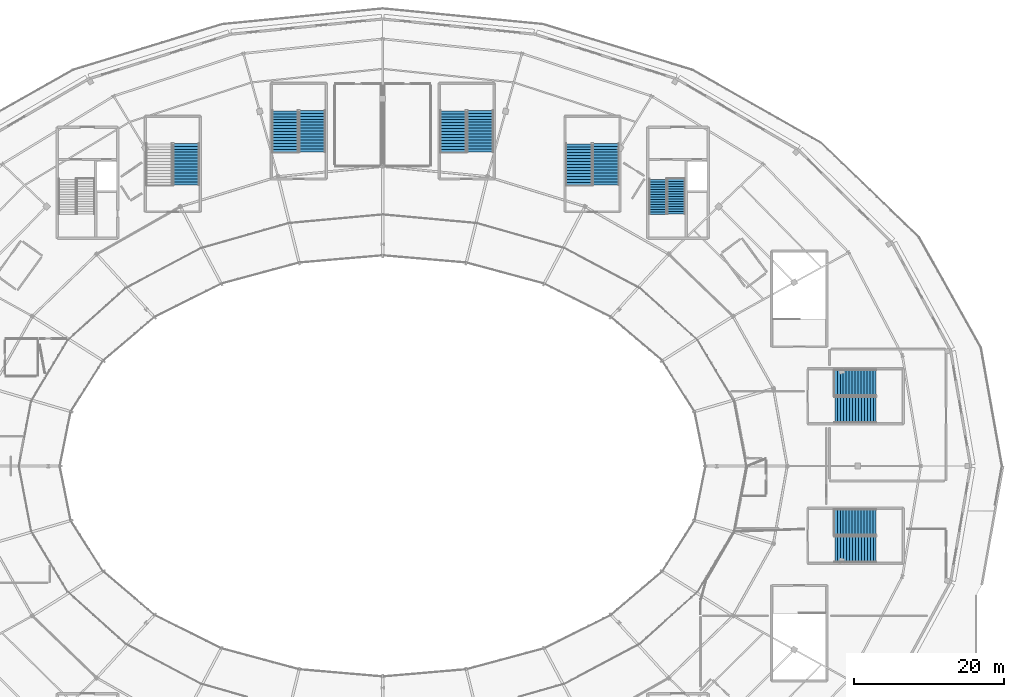
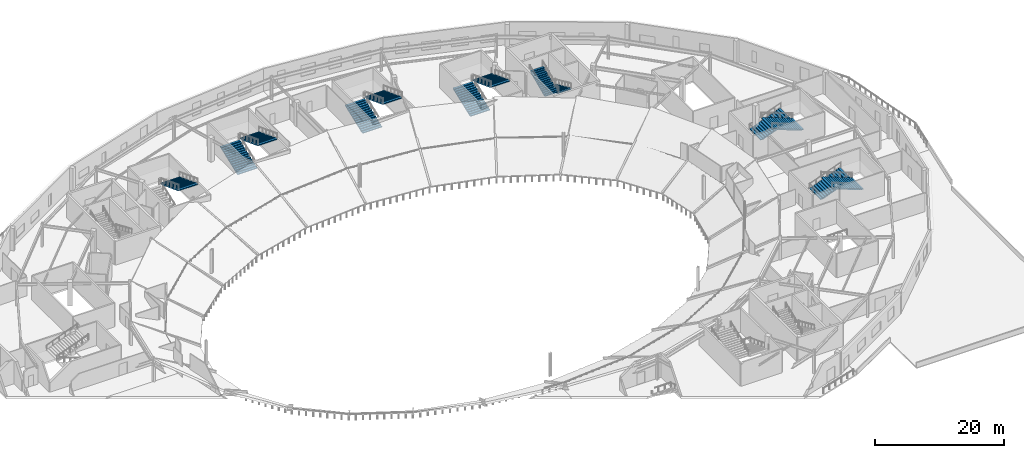
# One storey, part 44 of 63: 13 stair flights, 7 elements without a shape of their own.
"""IFC4 building model written with IfcOpenShell, lengths in metres."""

from ifc_helpers import new_model, si_unit, direction, frame, origin, place, context, subcontext, project, spatial, polyline, outline, extrude, material, type_object, element, aggregate, save


model = new_model("IFC4")

# Units and contexts
model_context = context("Model", 3, precision=1e-05, world=origin(), true_north=direction((0.0, 1.0)))
body_context = subcontext(model_context, "Body", "Model", "MODEL_VIEW")
ifc_project = project(units=[si_unit("LENGTHUNIT", "METRE"), si_unit("AREAUNIT", "SQUARE_METRE"), si_unit("VOLUMEUNIT", "CUBIC_METRE"), si_unit("PLANEANGLEUNIT", "RADIAN"), si_unit("MASSUNIT", "GRAM", prefix="KILO")], contexts=[model_context])

# Site, building, storey
site_placement = place(None, origin())
site = spatial("IfcSite", under=ifc_project, at=site_placement, CompositionType="ELEMENT")
building_placement = place(site_placement, origin())
building = spatial("IfcBuilding", under=site, at=building_placement, Name="Kalgoora Escarpment Arena", CompositionType="ELEMENT")
storey_placement = place(building_placement, frame((0.0, 0.0, 14.39990234375)))
storey = spatial("IfcBuildingStorey", under=building, at=storey_placement, Name="L03", CompositionType="ELEMENT", Elevation=14.39990234375)

# Stair, stair flights
ifc_material_1 = material(Name="Concrete N40 (fc' 40 MPa)", Category="concrete")
stair_type_1 = type_object("IfcStairType", Name="STR-EXIT-4", PredefinedType="HALF_TURN_STAIR", material=ifc_material_1)
stair_1_placement = place(storey_placement, origin())
stair_1 = element("IfcStair", 1, at=stair_1_placement, inside=storey, type_object=stair_type_1, Name="Fire-isolated exit stair ST04 (L03)", PredefinedType="HALF_TURN_STAIR")
ifc_material_2 = material(Name="Concrete N40 (fc' 40 MPa)", Category="concrete")
stair_flight_type_1 = type_object("IfcStairFlightType", Name="FLT-EXIT-4", PredefinedType="STRAIGHT", material=ifc_material_2)
stair_flight_1_placement = place(storey_placement, frame((131.552490234375, 102.330078125, 0.0), z_axis=(0.0, 0.0, 1.0), x_axis=(0.0, -1.0, 0.0)))
stair_flight_1 = element("IfcStairFlight", 2, at=stair_flight_1_placement, type_object=stair_flight_type_1, Name="ST04 L03 lower flight", NumberOfRisers=15, NumberOfTreads=14, PredefinedType="STRAIGHT", RiserHeight=0.15, TreadLength=0.335, context=body_context, shape_type="SweptSolid", body=[
    extrude(outline(polyline([(0.0, 0.0), (0.0, 0.14990234375), (0.3349609375, 0.14990234375), (0.3349609375, 0.300048828125), (0.669921875, 0.300048828125), (0.669921875, 0.449951171875), (1.0048828125, 0.449951171875), (1.0048828125, 0.60009765625), (1.340087890625, 0.60009765625), (1.340087890625, 0.75), (1.675048828125, 0.75), (1.675048828125, 0.89990234375), (2.010009765625, 0.89990234375), (2.010009765625, 1.050048828125), (2.344970703125, 1.050048828125), (2.344970703125, 1.199951171875), (2.679931640625, 1.199951171875), (2.679931640625, 1.35009765625), (3.014892578125, 1.35009765625), (3.014892578125, 1.5), (3.35009765625, 1.5), (3.35009765625, 1.64990234375), (3.68505859375, 1.64990234375), (3.68505859375, 1.800048828125), (4.02001953125, 1.800048828125), (4.02001953125, 1.949951171875), (4.35498046875, 1.949951171875), (4.35498046875, 2.10009765625), (4.68994140625, 2.10009765625), (4.68994140625, 2.25), (4.68994140625, 1.913818359375), (0.415771484375, 0.0), (0.0, 0.0)])), frame((0.0, 1.197509765625, 0.0), z_axis=(0.0, -1.0, 0.0), x_axis=(1.0, 0.0, 0.0)), (0.0, 0.0, 1.0), 2.39501953125),
])
stair_flight_2_placement = place(storey_placement, frame((129.1474609375, 97.580078125, 2.25), z_axis=(0.0, 0.0, 1.0), x_axis=(0.0, 1.0, 0.0)))
stair_flight_2 = element("IfcStairFlight", 3, at=stair_flight_2_placement, type_object=stair_flight_type_1, Name="ST04 L03 upper flight", NumberOfRisers=15, NumberOfTreads=14, PredefinedType="STRAIGHT", RiserHeight=0.15, TreadLength=0.335, context=body_context, shape_type="SweptSolid", body=[
    extrude(outline(polyline([(0.0, 0.0), (0.0, 0.14990234375), (0.3349609375, 0.14990234375), (0.3349609375, 0.300048828125), (0.669921875, 0.300048828125), (0.669921875, 0.449951171875), (1.0048828125, 0.449951171875), (1.0048828125, 0.60009765625), (1.340087890625, 0.60009765625), (1.340087890625, 0.75), (1.675048828125, 0.75), (1.675048828125, 0.89990234375), (2.010009765625, 0.89990234375), (2.010009765625, 1.050048828125), (2.344970703125, 1.050048828125), (2.344970703125, 1.199951171875), (2.679931640625, 1.199951171875), (2.679931640625, 1.35009765625), (3.014892578125, 1.35009765625), (3.014892578125, 1.5), (3.35009765625, 1.5), (3.35009765625, 1.64990234375), (3.68505859375, 1.64990234375), (3.68505859375, 1.800048828125), (4.02001953125, 1.800048828125), (4.02001953125, 1.949951171875), (4.35498046875, 1.949951171875), (4.35498046875, 2.10009765625), (4.68994140625, 2.10009765625), (4.68994140625, 2.25), (4.68994140625, 1.913818359375), (0.415771484375, 0.0), (0.0, 0.0)])), frame((0.0, 1.197509765625, 0.0), z_axis=(0.0, -1.0, 0.0), x_axis=(1.0, 0.0, 0.0)), (0.0, 0.0, 1.0), 2.39501953125),
])
aggregate(stair_1, [stair_flight_1, stair_flight_2])

# Stair, stair flight
ifc_material_3 = material(Name="Precast concrete N50 (fc' 50 MPa)", Category="concrete")
stair_type_2 = type_object("IfcStairType", Name="STR-STAD-1", PredefinedType="HALF_TURN_STAIR", material=ifc_material_3)
stair_2_placement = place(storey_placement, origin())
stair_2 = element("IfcStair", 4, at=stair_2_placement, inside=storey, type_object=stair_type_2, Name="Fire-isolated exit stair ST09 (L03)", PredefinedType="HALF_TURN_STAIR")
ifc_material_4 = material(Name="Precast concrete N50 (fc' 50 MPa)", Category="concrete")
stair_flight_type_2 = type_object("IfcStairFlightType", Name="FLT-STAD-1", PredefinedType="STRAIGHT", material=ifc_material_4)
stair_flight_3_placement = place(storey_placement, frame((66.20751953125, 107.06005859375, 2.25), z_axis=(0.0, 0.0, 1.0), x_axis=(0.0, -1.0, 0.0)))
stair_flight_3 = element("IfcStairFlight", 5, at=stair_flight_3_placement, type_object=stair_flight_type_2, Name="ST09 L03 upper flight", NumberOfRisers=15, NumberOfTreads=14, PredefinedType="STRAIGHT", RiserHeight=0.15, TreadLength=0.395, context=body_context, shape_type="SweptSolid", body=[
    extrude(outline(polyline([(0.0, 0.0), (0.0, 0.14990234375), (0.39501953125, 0.14990234375), (0.39501953125, 0.300048828125), (0.7900390625, 0.300048828125), (0.7900390625, 0.449951171875), (1.18505859375, 0.449951171875), (1.18505859375, 0.60009765625), (1.580078125, 0.60009765625), (1.580078125, 0.75), (1.97509765625, 0.75), (1.97509765625, 0.89990234375), (2.3701171875, 0.89990234375), (2.3701171875, 1.050048828125), (2.764892578125, 1.050048828125), (2.764892578125, 1.199951171875), (3.159912109375, 1.199951171875), (3.159912109375, 1.35009765625), (3.554931640625, 1.35009765625), (3.554931640625, 1.5), (3.949951171875, 1.5), (3.949951171875, 1.64990234375), (4.344970703125, 1.64990234375), (4.344970703125, 1.800048828125), (4.739990234375, 1.800048828125), (4.739990234375, 1.949951171875), (5.135009765625, 1.949951171875), (5.135009765625, 2.10009765625), (5.530029296875, 2.10009765625), (5.530029296875, 2.25), (5.530029296875, 1.918212890625), (0.478759765625, 0.0), (0.0, 0.0)])), frame((0.0, 1.74267578125, 0.0), z_axis=(0.0, -1.0, 0.0), x_axis=(1.0, 0.0, 0.0)), (0.0, 0.0, 1.0), 3.485107421875),
])
aggregate(stair_2, [stair_flight_3])

# Stair, stair flights
stair_3_placement = place(storey_placement, origin())
stair_3 = element("IfcStair", 6, at=stair_3_placement, inside=storey, type_object=stair_type_2, Name="Fire-isolated exit stair ST21 (L03)", PredefinedType="HALF_TURN_STAIR")
stair_flight_4_placement = place(storey_placement, frame((152.669921875, 75.107421875, 0.0), z_axis=(0.0, 0.0, 1.0), x_axis=(1.0, 0.0, 0.0)))
stair_flight_4 = element("IfcStairFlight", 7, at=stair_flight_4_placement, type_object=stair_flight_type_2, Name="ST21 L03 lower flight", NumberOfRisers=15, NumberOfTreads=14, PredefinedType="STRAIGHT", RiserHeight=0.15, TreadLength=0.395, context=body_context, shape_type="SweptSolid", body=[
    extrude(outline(polyline([(0.0, 0.0), (0.0, 0.14990234375), (0.39501953125, 0.14990234375), (0.39501953125, 0.300048828125), (0.7900390625, 0.300048828125), (0.7900390625, 0.449951171875), (1.18505859375, 0.449951171875), (1.18505859375, 0.60009765625), (1.580078125, 0.60009765625), (1.580078125, 0.75), (1.97509765625, 0.75), (1.97509765625, 0.89990234375), (2.3701171875, 0.89990234375), (2.3701171875, 1.050048828125), (2.764892578125, 1.050048828125), (2.764892578125, 1.199951171875), (3.159912109375, 1.199951171875), (3.159912109375, 1.35009765625), (3.554931640625, 1.35009765625), (3.554931640625, 1.5), (3.949951171875, 1.5), (3.949951171875, 1.64990234375), (4.344970703125, 1.64990234375), (4.344970703125, 1.800048828125), (4.739990234375, 1.800048828125), (4.739990234375, 1.949951171875), (5.135009765625, 1.949951171875), (5.135009765625, 2.10009765625), (5.530029296875, 2.10009765625), (5.530029296875, 2.25), (5.530029296875, 1.918212890625), (0.478759765625, 0.0), (0.0, 0.0)])), frame((0.0, 1.74267578125, 0.0), z_axis=(0.0, -1.0, 0.0), x_axis=(1.0, 0.0, 0.0)), (0.0, 0.0, 1.0), 3.485107421875),
])
stair_flight_5_placement = place(storey_placement, frame((158.260009765625, 71.492431640625, 2.25), z_axis=(0.0, 0.0, 1.0), x_axis=(-1.0, 0.0, 0.0)))
stair_flight_5 = element("IfcStairFlight", 8, at=stair_flight_5_placement, type_object=stair_flight_type_2, Name="ST21 L03 upper flight", NumberOfRisers=15, NumberOfTreads=14, PredefinedType="STRAIGHT", RiserHeight=0.15, TreadLength=0.395, context=body_context, shape_type="SweptSolid", body=[
    extrude(outline(polyline([(0.0, 0.0), (0.0, 0.14990234375), (0.39501953125, 0.14990234375), (0.39501953125, 0.300048828125), (0.7900390625, 0.300048828125), (0.7900390625, 0.449951171875), (1.18505859375, 0.449951171875), (1.18505859375, 0.60009765625), (1.580078125, 0.60009765625), (1.580078125, 0.75), (1.97509765625, 0.75), (1.97509765625, 0.89990234375), (2.3701171875, 0.89990234375), (2.3701171875, 1.050048828125), (2.764892578125, 1.050048828125), (2.764892578125, 1.199951171875), (3.159912109375, 1.199951171875), (3.159912109375, 1.35009765625), (3.554931640625, 1.35009765625), (3.554931640625, 1.5), (3.949951171875, 1.5), (3.949951171875, 1.64990234375), (4.344970703125, 1.64990234375), (4.344970703125, 1.800048828125), (4.739990234375, 1.800048828125), (4.739990234375, 1.949951171875), (5.135009765625, 1.949951171875), (5.135009765625, 2.10009765625), (5.530029296875, 2.10009765625), (5.530029296875, 2.25), (5.530029296875, 1.918212890625), (0.478759765625, 0.0), (0.0, 0.0)])), frame((0.0, 1.74267578125, 0.0), z_axis=(0.0, -1.0, 0.0), x_axis=(1.0, 0.0, 0.0)), (0.0, 0.0, 1.0), 3.485107421875),
])
aggregate(stair_3, [stair_flight_4, stair_flight_5])

ifc_material_5 = material(Name="Precast concrete N50 (fc' 50 MPa)", Category="concrete")
stair_type_3 = type_object("IfcStairType", Name="STR-STAD-2", PredefinedType="HALF_TURN_STAIR", material=ifc_material_5)
stair_4_placement = place(storey_placement, origin())
stair_4 = element("IfcStair", 9, at=stair_4_placement, inside=storey, type_object=stair_type_3, Name="Fire-isolated exit stair ST10 (L03)", PredefinedType="HALF_TURN_STAIR")
ifc_material_6 = material(Name="Precast concrete N50 (fc' 50 MPa)", Category="concrete")
stair_flight_type_3 = type_object("IfcStairFlightType", Name="FLT-STAD-2", PredefinedType="STRAIGHT", material=ifc_material_6)
stair_flight_6_placement = place(storey_placement, frame((79.39501953125, 105.8701171875, 0.0), z_axis=(0.0, 0.0, 1.0), x_axis=(0.0, 1.0, 0.0)))
stair_flight_6 = element("IfcStairFlight", 10, at=stair_flight_6_placement, type_object=stair_flight_type_3, Name="ST10 L03 lower flight", NumberOfRisers=15, NumberOfTreads=14, PredefinedType="STRAIGHT", RiserHeight=0.15, TreadLength=0.395, context=body_context, shape_type="SweptSolid", body=[
    extrude(outline(polyline([(0.0, 0.0), (0.0, 0.14990234375), (0.39501953125, 0.14990234375), (0.39501953125, 0.300048828125), (0.7900390625, 0.300048828125), (0.7900390625, 0.449951171875), (1.18505859375, 0.449951171875), (1.18505859375, 0.60009765625), (1.580078125, 0.60009765625), (1.580078125, 0.75), (1.97509765625, 0.75), (1.97509765625, 0.89990234375), (2.3701171875, 0.89990234375), (2.3701171875, 1.050048828125), (2.764892578125, 1.050048828125), (2.764892578125, 1.199951171875), (3.159912109375, 1.199951171875), (3.159912109375, 1.35009765625), (3.554931640625, 1.35009765625), (3.554931640625, 1.5), (3.949951171875, 1.5), (3.949951171875, 1.64990234375), (4.344970703125, 1.64990234375), (4.344970703125, 1.800048828125), (4.739990234375, 1.800048828125), (4.739990234375, 1.949951171875), (5.135009765625, 1.949951171875), (5.135009765625, 2.10009765625), (5.530029296875, 2.10009765625), (5.530029296875, 2.25), (5.530029296875, 1.918212890625), (0.478759765625, 0.0), (0.0, 0.0)])), frame((0.0, 1.7451171875, 0.0), z_axis=(0.0, -1.0, 0.0), x_axis=(1.0, 0.0, 0.0)), (0.0, 0.0, 1.0), 3.489990234375),
])
stair_flight_7_placement = place(storey_placement, frame((83.0048828125, 111.4599609375, 2.25), z_axis=(0.0, 0.0, 1.0), x_axis=(0.0, -1.0, 0.0)))
stair_flight_7 = element("IfcStairFlight", 11, at=stair_flight_7_placement, type_object=stair_flight_type_3, Name="ST10 L03 upper flight", NumberOfRisers=15, NumberOfTreads=14, PredefinedType="STRAIGHT", RiserHeight=0.15, TreadLength=0.395, context=body_context, shape_type="SweptSolid", body=[
    extrude(outline(polyline([(0.0, 0.0), (0.0, 0.14990234375), (0.39501953125, 0.14990234375), (0.39501953125, 0.300048828125), (0.7900390625, 0.300048828125), (0.7900390625, 0.449951171875), (1.18505859375, 0.449951171875), (1.18505859375, 0.60009765625), (1.580078125, 0.60009765625), (1.580078125, 0.75), (1.97509765625, 0.75), (1.97509765625, 0.89990234375), (2.3701171875, 0.89990234375), (2.3701171875, 1.050048828125), (2.764892578125, 1.050048828125), (2.764892578125, 1.199951171875), (3.159912109375, 1.199951171875), (3.159912109375, 1.35009765625), (3.554931640625, 1.35009765625), (3.554931640625, 1.5), (3.949951171875, 1.5), (3.949951171875, 1.64990234375), (4.344970703125, 1.64990234375), (4.344970703125, 1.800048828125), (4.739990234375, 1.800048828125), (4.739990234375, 1.949951171875), (5.135009765625, 1.949951171875), (5.135009765625, 2.10009765625), (5.530029296875, 2.10009765625), (5.530029296875, 2.25), (5.530029296875, 1.918212890625), (0.478759765625, 0.0), (0.0, 0.0)])), frame((0.0, 1.7451171875, 0.0), z_axis=(0.0, -1.0, 0.0), x_axis=(1.0, 0.0, 0.0)), (0.0, 0.0, 1.0), 3.489990234375),
])
aggregate(stair_4, [stair_flight_6, stair_flight_7])

stair_5_placement = place(storey_placement, origin())
stair_5 = element("IfcStair", 12, at=stair_5_placement, inside=storey, type_object=stair_type_3, Name="Fire-isolated exit stair ST22 (L03)", PredefinedType="HALF_TURN_STAIR")
stair_flight_8_placement = place(storey_placement, frame((152.669921875, 56.5048828125, 0.0), z_axis=(0.0, 0.0, 1.0), x_axis=(1.0, 0.0, 0.0)))
stair_flight_8 = element("IfcStairFlight", 13, at=stair_flight_8_placement, type_object=stair_flight_type_3, Name="ST22 L03 lower flight", NumberOfRisers=15, NumberOfTreads=14, PredefinedType="STRAIGHT", RiserHeight=0.15, TreadLength=0.395, context=body_context, shape_type="SweptSolid", body=[
    extrude(outline(polyline([(0.0, 0.0), (0.0, 0.14990234375), (0.39501953125, 0.14990234375), (0.39501953125, 0.300048828125), (0.7900390625, 0.300048828125), (0.7900390625, 0.449951171875), (1.18505859375, 0.449951171875), (1.18505859375, 0.60009765625), (1.580078125, 0.60009765625), (1.580078125, 0.75), (1.97509765625, 0.75), (1.97509765625, 0.89990234375), (2.3701171875, 0.89990234375), (2.3701171875, 1.050048828125), (2.764892578125, 1.050048828125), (2.764892578125, 1.199951171875), (3.159912109375, 1.199951171875), (3.159912109375, 1.35009765625), (3.554931640625, 1.35009765625), (3.554931640625, 1.5), (3.949951171875, 1.5), (3.949951171875, 1.64990234375), (4.344970703125, 1.64990234375), (4.344970703125, 1.800048828125), (4.739990234375, 1.800048828125), (4.739990234375, 1.949951171875), (5.135009765625, 1.949951171875), (5.135009765625, 2.10009765625), (5.530029296875, 2.10009765625), (5.530029296875, 2.25), (5.530029296875, 1.918212890625), (0.478759765625, 0.0), (0.0, 0.0)])), frame((0.0, 1.7451171875, 0.0), z_axis=(0.0, -1.0, 0.0), x_axis=(1.0, 0.0, 0.0)), (0.0, 0.0, 1.0), 3.489990234375),
])
stair_flight_9_placement = place(storey_placement, frame((158.260009765625, 52.89501953125, 2.25), z_axis=(0.0, 0.0, 1.0), x_axis=(-1.0, 0.0, 0.0)))
stair_flight_9 = element("IfcStairFlight", 14, at=stair_flight_9_placement, type_object=stair_flight_type_3, Name="ST22 L03 upper flight", NumberOfRisers=15, NumberOfTreads=14, PredefinedType="STRAIGHT", RiserHeight=0.15, TreadLength=0.395, context=body_context, shape_type="SweptSolid", body=[
    extrude(outline(polyline([(0.0, 0.0), (0.0, 0.14990234375), (0.39501953125, 0.14990234375), (0.39501953125, 0.300048828125), (0.7900390625, 0.300048828125), (0.7900390625, 0.449951171875), (1.18505859375, 0.449951171875), (1.18505859375, 0.60009765625), (1.580078125, 0.60009765625), (1.580078125, 0.75), (1.97509765625, 0.75), (1.97509765625, 0.89990234375), (2.3701171875, 0.89990234375), (2.3701171875, 1.050048828125), (2.764892578125, 1.050048828125), (2.764892578125, 1.199951171875), (3.159912109375, 1.199951171875), (3.159912109375, 1.35009765625), (3.554931640625, 1.35009765625), (3.554931640625, 1.5), (3.949951171875, 1.5), (3.949951171875, 1.64990234375), (4.344970703125, 1.64990234375), (4.344970703125, 1.800048828125), (4.739990234375, 1.800048828125), (4.739990234375, 1.949951171875), (5.135009765625, 1.949951171875), (5.135009765625, 2.10009765625), (5.530029296875, 2.10009765625), (5.530029296875, 2.25), (5.530029296875, 1.918212890625), (0.478759765625, 0.0), (0.0, 0.0)])), frame((0.0, 1.7451171875, 0.0), z_axis=(0.0, -1.0, 0.0), x_axis=(1.0, 0.0, 0.0)), (0.0, 0.0, 1.0), 3.489990234375),
])
aggregate(stair_5, [stair_flight_8, stair_flight_9])

ifc_material_7 = material(Name="Precast concrete N50 (fc' 50 MPa)", Category="concrete")
stair_type_4 = type_object("IfcStairType", Name="STR-STAD-3", PredefinedType="HALF_TURN_STAIR", material=ifc_material_7)
stair_6_placement = place(storey_placement, origin())
stair_6 = element("IfcStair", 15, at=stair_6_placement, inside=storey, type_object=stair_type_4, Name="Fire-isolated exit stair ST11 (L03)", PredefinedType="HALF_TURN_STAIR")
ifc_material_8 = material(Name="Precast concrete N50 (fc' 50 MPa)", Category="concrete")
stair_flight_type_4 = type_object("IfcStairFlightType", Name="FLT-STAD-3", PredefinedType="STRAIGHT", material=ifc_material_8)
stair_flight_10_placement = place(storey_placement, frame((101.797607421875, 105.8701171875, 0.0), z_axis=(0.0, 0.0, 1.0), x_axis=(0.0, 1.0, 0.0)))
stair_flight_10 = element("IfcStairFlight", 16, at=stair_flight_10_placement, type_object=stair_flight_type_4, Name="ST11 L03 lower flight", NumberOfRisers=15, NumberOfTreads=14, PredefinedType="STRAIGHT", RiserHeight=0.15, TreadLength=0.395, context=body_context, shape_type="SweptSolid", body=[
    extrude(outline(polyline([(0.0, 0.0), (0.0, 0.14990234375), (0.39501953125, 0.14990234375), (0.39501953125, 0.300048828125), (0.7900390625, 0.300048828125), (0.7900390625, 0.449951171875), (1.18505859375, 0.449951171875), (1.18505859375, 0.60009765625), (1.580078125, 0.60009765625), (1.580078125, 0.75), (1.97509765625, 0.75), (1.97509765625, 0.89990234375), (2.3701171875, 0.89990234375), (2.3701171875, 1.050048828125), (2.764892578125, 1.050048828125), (2.764892578125, 1.199951171875), (3.159912109375, 1.199951171875), (3.159912109375, 1.35009765625), (3.554931640625, 1.35009765625), (3.554931640625, 1.5), (3.949951171875, 1.5), (3.949951171875, 1.64990234375), (4.344970703125, 1.64990234375), (4.344970703125, 1.800048828125), (4.739990234375, 1.800048828125), (4.739990234375, 1.949951171875), (5.135009765625, 1.949951171875), (5.135009765625, 2.10009765625), (5.530029296875, 2.10009765625), (5.530029296875, 2.25), (5.530029296875, 1.918212890625), (0.478759765625, 0.0), (0.0, 0.0)])), frame((0.0, 1.74755859375, 0.0), z_axis=(0.0, -1.0, 0.0), x_axis=(1.0, 0.0, 0.0)), (0.0, 0.0, 1.0), 3.4951171875),
])
stair_flight_11_placement = place(storey_placement, frame((105.402587890625, 111.4599609375, 2.25), z_axis=(0.0, 0.0, 1.0), x_axis=(0.0, -1.0, 0.0)))
stair_flight_11 = element("IfcStairFlight", 17, at=stair_flight_11_placement, type_object=stair_flight_type_4, Name="ST11 L03 upper flight", NumberOfRisers=15, NumberOfTreads=14, PredefinedType="STRAIGHT", RiserHeight=0.15, TreadLength=0.395, context=body_context, shape_type="SweptSolid", body=[
    extrude(outline(polyline([(0.0, 0.0), (0.0, 0.14990234375), (0.39501953125, 0.14990234375), (0.39501953125, 0.300048828125), (0.7900390625, 0.300048828125), (0.7900390625, 0.449951171875), (1.18505859375, 0.449951171875), (1.18505859375, 0.60009765625), (1.580078125, 0.60009765625), (1.580078125, 0.75), (1.97509765625, 0.75), (1.97509765625, 0.89990234375), (2.3701171875, 0.89990234375), (2.3701171875, 1.050048828125), (2.764892578125, 1.050048828125), (2.764892578125, 1.199951171875), (3.159912109375, 1.199951171875), (3.159912109375, 1.35009765625), (3.554931640625, 1.35009765625), (3.554931640625, 1.5), (3.949951171875, 1.5), (3.949951171875, 1.64990234375), (4.344970703125, 1.64990234375), (4.344970703125, 1.800048828125), (4.739990234375, 1.800048828125), (4.739990234375, 1.949951171875), (5.135009765625, 1.949951171875), (5.135009765625, 2.10009765625), (5.530029296875, 2.10009765625), (5.530029296875, 2.25), (5.530029296875, 1.918212890625), (0.478759765625, 0.0), (0.0, 0.0)])), frame((0.0, 1.74755859375, 0.0), z_axis=(0.0, -1.0, 0.0), x_axis=(1.0, 0.0, 0.0)), (0.0, 0.0, 1.0), 3.4951171875),
])
aggregate(stair_6, [stair_flight_10, stair_flight_11])

ifc_material_9 = material(Name="Precast concrete N50 (fc' 50 MPa)", Category="concrete")
stair_type_5 = type_object("IfcStairType", Name="STR-STAD-4", PredefinedType="HALF_TURN_STAIR", material=ifc_material_9)
stair_7_placement = place(storey_placement, origin())
stair_7 = element("IfcStair", 18, at=stair_7_placement, inside=storey, type_object=stair_type_5, Name="Fire-isolated exit stair ST12 (L03)", PredefinedType="HALF_TURN_STAIR")
ifc_material_10 = material(Name="Precast concrete N50 (fc' 50 MPa)", Category="concrete")
stair_flight_type_5 = type_object("IfcStairFlightType", Name="FLT-STAD-4", PredefinedType="STRAIGHT", material=ifc_material_10)
stair_flight_12_placement = place(storey_placement, frame((118.60009765625, 101.469970703125, 0.0), z_axis=(0.0, 0.0, 1.0), x_axis=(0.0, 1.0, 0.0)))
stair_flight_12 = element("IfcStairFlight", 19, at=stair_flight_12_placement, type_object=stair_flight_type_5, Name="ST12 L03 lower flight", NumberOfRisers=15, NumberOfTreads=14, PredefinedType="STRAIGHT", RiserHeight=0.15, TreadLength=0.395, context=body_context, shape_type="SweptSolid", body=[
    extrude(outline(polyline([(0.0, 0.0), (0.0, 0.14990234375), (0.39501953125, 0.14990234375), (0.39501953125, 0.300048828125), (0.7900390625, 0.300048828125), (0.7900390625, 0.449951171875), (1.18505859375, 0.449951171875), (1.18505859375, 0.60009765625), (1.580078125, 0.60009765625), (1.580078125, 0.75), (1.97509765625, 0.75), (1.97509765625, 0.89990234375), (2.3701171875, 0.89990234375), (2.3701171875, 1.050048828125), (2.764892578125, 1.050048828125), (2.764892578125, 1.199951171875), (3.159912109375, 1.199951171875), (3.159912109375, 1.35009765625), (3.554931640625, 1.35009765625), (3.554931640625, 1.5), (3.949951171875, 1.5), (3.949951171875, 1.64990234375), (4.344970703125, 1.64990234375), (4.344970703125, 1.800048828125), (4.739990234375, 1.800048828125), (4.739990234375, 1.949951171875), (5.135009765625, 1.949951171875), (5.135009765625, 2.10009765625), (5.530029296875, 2.10009765625), (5.530029296875, 2.25), (5.530029296875, 1.918212890625), (0.478759765625, 0.0), (0.0, 0.0)])), frame((0.0, 1.75, 0.0), z_axis=(0.0, -1.0, 0.0), x_axis=(1.0, 0.0, 0.0)), (0.0, 0.0, 1.0), 3.5),
])
stair_flight_13_placement = place(storey_placement, frame((122.199951171875, 107.06005859375, 2.25), z_axis=(0.0, 0.0, 1.0), x_axis=(0.0, -1.0, 0.0)))
stair_flight_13 = element("IfcStairFlight", 20, at=stair_flight_13_placement, type_object=stair_flight_type_5, Name="ST12 L03 upper flight", NumberOfRisers=15, NumberOfTreads=14, PredefinedType="STRAIGHT", RiserHeight=0.15, TreadLength=0.395, context=body_context, shape_type="SweptSolid", body=[
    extrude(outline(polyline([(0.0, 0.0), (0.0, 0.14990234375), (0.39501953125, 0.14990234375), (0.39501953125, 0.300048828125), (0.7900390625, 0.300048828125), (0.7900390625, 0.449951171875), (1.18505859375, 0.449951171875), (1.18505859375, 0.60009765625), (1.580078125, 0.60009765625), (1.580078125, 0.75), (1.97509765625, 0.75), (1.97509765625, 0.89990234375), (2.3701171875, 0.89990234375), (2.3701171875, 1.050048828125), (2.764892578125, 1.050048828125), (2.764892578125, 1.199951171875), (3.159912109375, 1.199951171875), (3.159912109375, 1.35009765625), (3.554931640625, 1.35009765625), (3.554931640625, 1.5), (3.949951171875, 1.5), (3.949951171875, 1.64990234375), (4.344970703125, 1.64990234375), (4.344970703125, 1.800048828125), (4.739990234375, 1.800048828125), (4.739990234375, 1.949951171875), (5.135009765625, 1.949951171875), (5.135009765625, 2.10009765625), (5.530029296875, 2.10009765625), (5.530029296875, 2.25), (5.530029296875, 1.918212890625), (0.478759765625, 0.0), (0.0, 0.0)])), frame((0.0, 1.75, 0.0), z_axis=(0.0, -1.0, 0.0), x_axis=(1.0, 0.0, 0.0)), (0.0, 0.0, 1.0), 3.5),
])
aggregate(stair_7, [stair_flight_12, stair_flight_13])

save(model, "model.ifc")
